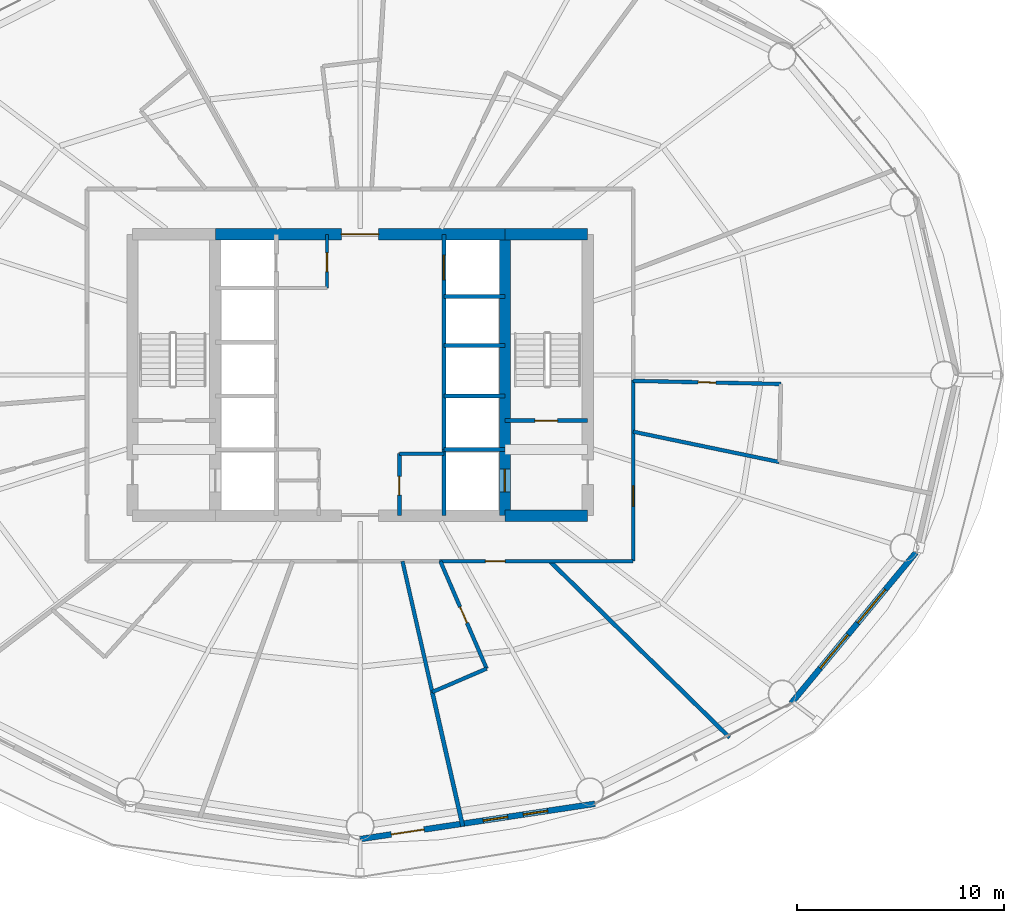
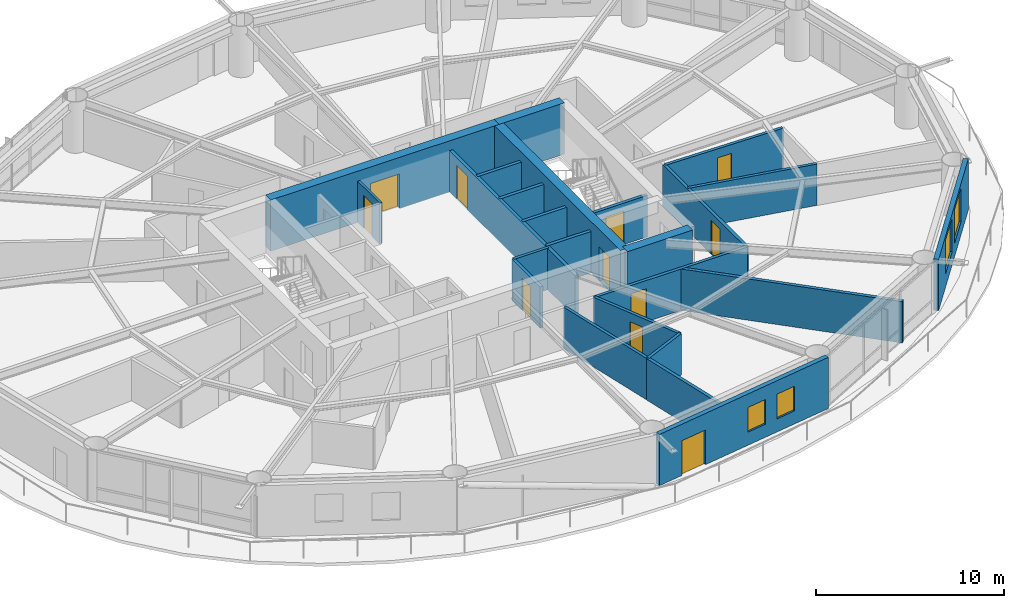
# One storey, part 19 of 24: 25 walls, 11 doors, 4 windows, 15 openings.
"""IFC4 building model written with IfcOpenShell, lengths in metres."""

from ifc_helpers import new_model, si_unit, direction, frame, frame_2d, origin, place, context, subcontext, project, spatial, rectangle, extrude, material, layer, layer_set, type_object, element, fill, save


model = new_model("IFC4")

# Units and contexts
model_context = context("Model", 3, precision=1e-05, world=origin(), true_north=direction((0.0, 1.0)))
body_context = subcontext(model_context, "Body", "Model", "MODEL_VIEW")
ifc_project = project(units=[si_unit("LENGTHUNIT", "METRE"), si_unit("AREAUNIT", "SQUARE_METRE"), si_unit("VOLUMEUNIT", "CUBIC_METRE"), si_unit("PLANEANGLEUNIT", "RADIAN"), si_unit("MASSUNIT", "GRAM", prefix="KILO")], contexts=[model_context])

# Site, building, storey
site_placement = place(None, origin())
site = spatial("IfcSite", under=ifc_project, at=site_placement, CompositionType="ELEMENT")
building_placement = place(site_placement, origin())
building = spatial("IfcBuilding", under=site, at=building_placement, Name="Sarneth Arch Tower", CompositionType="ELEMENT")
storey_placement = place(building_placement, frame((0.0, 0.0, 130.800048828125)))
storey = spatial("IfcBuildingStorey", under=building, at=storey_placement, Name="L33", CompositionType="ELEMENT", Elevation=130.800048828125)

# Wall
ifc_material_1 = material(Name="Concrete C60/75", Category="concrete")
ifc_layer_1 = layer(ifc_material_1, 0.550048828125)
ifc_layer_set_1 = layer_set([ifc_layer_1], Name="Concrete C60/75")
wall_type_1 = type_object("IfcWallType", Name="WALL-CORE-550", PredefinedType="SHEAR", material=ifc_layer_set_1)
wall_1_placement = place(storey_placement, frame((55.0, 35.199951171875, 0.0), z_axis=(0.0, 0.0, 1.0), x_axis=(1.0, 0.0, 0.0)))
element("IfcWall", 1, at=wall_1_placement, inside=storey, type_object=wall_type_1, Name="L33 Core shear wall S-E", PredefinedType="SHEAR", context=body_context, shape_type="SweptSolid", body=[
    extrude(rectangle(XDim=4.0, YDim=0.550048828125, at=frame_2d((2.0, 0.0))), origin(), (0.0, 0.0, 1.0), 3.320068359375),
])

# Wall, opening, door
wall_2_placement = place(storey_placement, frame((41.0, 48.800048828125, 0.0), z_axis=(0.0, 0.0, 1.0), x_axis=(1.0, 0.0, 0.0)))
wall_2 = element("IfcWall", 2, at=wall_2_placement, inside=storey, type_object=wall_type_1, Name="L33 Core shear wall N-M", PredefinedType="SHEAR", context=body_context, shape_type="SweptSolid", body=[
    extrude(rectangle(XDim=14.0, YDim=0.550048828125, at=frame_2d((7.0, 0.0))), origin(), (0.0, 0.0, 1.0), 3.320068359375),
])
opening_1_placement = place(wall_2_placement, frame((6.10009765625, 0.0, 0.0)))
opening_1 = element("IfcOpeningElement", 3, at=opening_1_placement, cuts=wall_2, Name="Opening FD-01", PredefinedType="OPENING", context=body_context, shape_type="SweptSolid", body=[
    extrude(rectangle(XDim=1.800048828125, YDim=2.25, at=frame_2d((0.89990234375, 1.125))), frame((0.0, 0.284912109375, 0.0), z_axis=(0.0, -1.0, 0.0), x_axis=(1.0, 0.0, 0.0)), (0.0, 0.0, 1.0), 0.570068359375),
])
ifc_material_2 = material(Name="Galvanised Steel S275 fire door set", Category="steel")
door_type_1 = type_object("IfcDoorType", Name="DR-FD90-1800", OperationType="DOUBLE_DOOR_SINGLE_SWING", PredefinedType="DOOR", material=ifc_material_2)
door_1_placement = place(opening_1_placement, origin())
door_1 = element("IfcDoor", 4, at=door_1_placement, inside=storey, type_object=door_type_1, Name="L33 Central lift lobby north door", OperationType="DOUBLE_DOOR_SINGLE_SWING", OverallHeight=2.25, OverallWidth=1.800048828125, PredefinedType="DOOR", context=body_context, shape_type="SweptSolid", body=[
    extrude(rectangle(XDim=1.800048828125, YDim=2.25, at=frame_2d((0.89990234375, 1.125))), frame((0.0, 0.02490234375, 0.0), z_axis=(0.0, -1.0, 0.0), x_axis=(1.0, 0.0, 0.0)), (0.0, 0.0, 1.0), 0.050048828125),
])
fill(opening_1, door_1)

# Wall
wall_3_placement = place(storey_placement, frame((55.0, 48.800048828125, 0.0), z_axis=(0.0, 0.0, 1.0), x_axis=(1.0, 0.0, 0.0)))
element("IfcWall", 5, at=wall_3_placement, inside=storey, type_object=wall_type_1, Name="L33 Core shear wall N-E", PredefinedType="SHEAR", context=body_context, shape_type="SweptSolid", body=[
    extrude(rectangle(XDim=4.0, YDim=0.550048828125, at=frame_2d((2.0, 0.0))), origin(), (0.0, 0.0, 1.0), 3.320068359375),
])

# Wall, opening, door
wall_4_placement = place(storey_placement, frame((55.0, 35.199951171875, 0.0), z_axis=(0.0, 0.0, 1.0), x_axis=(0.0, 1.0, 0.0)))
wall_4 = element("IfcWall", 6, at=wall_4_placement, inside=storey, type_object=wall_type_1, Name="L33 Core shear wall WEB-E", PredefinedType="SHEAR", context=body_context, shape_type="SweptSolid", body=[
    extrude(rectangle(XDim=13.60009765625, YDim=0.550048828125, at=frame_2d((6.800048828125, 0.0))), origin(), (0.0, 0.0, 1.0), 3.320068359375),
])
opening_2_placement = place(wall_4_placement, frame((1.14990234375, 0.0, 0.0)))
opening_2 = element("IfcOpeningElement", 7, at=opening_2_placement, cuts=wall_4, Name="Opening LD-1", PredefinedType="OPENING", context=body_context, shape_type="SweptSolid", body=[
    extrude(rectangle(XDim=1.10009765625, YDim=2.199951171875, at=frame_2d((0.550048828125, 1.10009765625))), frame((0.0, 0.284912109375, 0.0), z_axis=(0.0, -1.0, 0.0), x_axis=(1.0, 0.0, 0.0)), (0.0, 0.0, 1.0), 0.570068359375),
])
ifc_material_3 = material(Name="Brushed Stainless Steel 304 lift landing door", Category="steel")
door_type_2 = type_object("IfcDoorType", Name="DR-LIFT-SLIDE-1100", OperationType="SLIDING_TO_LEFT", PredefinedType="DOOR", material=ifc_material_3)
door_2_placement = place(opening_2_placement, origin())
door_2 = element("IfcDoor", 8, at=door_2_placement, inside=storey, type_object=door_type_2, Name="L33 Firefighting lift landing door FL-2", OperationType="SLIDING_TO_RIGHT", OverallHeight=2.199951171875, OverallWidth=1.10009765625, PredefinedType="DOOR", context=body_context, shape_type="SweptSolid", body=[
    extrude(rectangle(XDim=1.10009765625, YDim=2.199951171875, at=frame_2d((0.550048828125, 1.10009765625))), frame((0.0, 0.02490234375, 0.0), z_axis=(0.0, -1.0, 0.0), x_axis=(1.0, 0.0, 0.0)), (0.0, 0.0, 1.0), 0.050048828125),
])
fill(opening_2, door_2)

ifc_material_4 = material(Name="Double steel-stud corridor fire wall", Category="steel")
ifc_layer_2 = layer(ifc_material_4, 0.18994140625)
ifc_layer_set_2 = layer_set([ifc_layer_2], Name="Double steel-stud corridor fire wall")
wall_type_2 = type_object("IfcWallType", Name="WALL-CORR-190", PredefinedType="PARTITIONING", material=ifc_layer_set_2)
wall_5_placement = place(storey_placement, frame((61.199951171875, 41.749267578125, 0.0), z_axis=(0.0, 0.0, 1.0), x_axis=(0.0, -1.0, 0.0)))
wall_5 = element("IfcWall", 9, at=wall_5_placement, inside=storey, type_object=wall_type_2, Name="L33 Interior partition W-L33-TP-019", PredefinedType="PARTITIONING", context=body_context, shape_type="SweptSolid", body=[
    extrude(rectangle(XDim=8.749267578125, YDim=0.18994140625, at=frame_2d((4.37451171875, 0.0))), origin(), (0.0, 0.0, 1.0), 2.679931640625),
])
opening_3_placement = place(wall_5_placement, frame((5.102783203125, 0.0, 0.0)))
opening_3 = element("IfcOpeningElement", 10, at=opening_3_placement, cuts=wall_5, Name="Opening FD-08", PredefinedType="OPENING", context=body_context, shape_type="SweptSolid", body=[
    extrude(rectangle(XDim=1.0, YDim=2.199951171875, at=frame_2d((0.5, 1.10009765625))), frame((0.0, 0.10498046875, 0.0), z_axis=(0.0, -1.0, 0.0), x_axis=(1.0, 0.0, 0.0)), (0.0, 0.0, 1.0), 0.2099609375),
])
ifc_material_5 = material(Name="Hardwood timber acoustic fire door", Category="wood")
door_type_3 = type_object("IfcDoorType", Name="DR-FD60-1000", OperationType="SINGLE_SWING_LEFT", PredefinedType="DOOR", material=ifc_material_5)
door_3_placement = place(opening_3_placement, origin())
door_3 = element("IfcDoor", 11, at=door_3_placement, inside=storey, type_object=door_type_3, Name="L33 Interior door DR-L33-AMN-10", OperationType="SINGLE_SWING_LEFT", OverallHeight=2.199951171875, OverallWidth=1.0, PredefinedType="DOOR", context=body_context, shape_type="SweptSolid", body=[
    extrude(rectangle(XDim=1.0, YDim=2.199951171875, at=frame_2d((0.5, 1.10009765625))), frame((0.0, 0.02490234375, 0.0), z_axis=(0.0, -1.0, 0.0), x_axis=(1.0, 0.0, 0.0)), (0.0, 0.0, 1.0), 0.050048828125),
])
fill(opening_3, door_3)

wall_6_placement = place(storey_placement, frame((61.199951171875, 33.0, 0.0), z_axis=(0.0, 0.0, 1.0), x_axis=(-1.0, 0.0, 0.0)))
wall_6 = element("IfcWall", 12, at=wall_6_placement, inside=storey, type_object=wall_type_2, Name="L33 Interior partition W-L33-TP-017", PredefinedType="PARTITIONING", context=body_context, shape_type="SweptSolid", body=[
    extrude(rectangle(XDim=9.35546875, YDim=0.18994140625, at=frame_2d((4.677734375, 0.0))), origin(), (0.0, 0.0, 1.0), 2.679931640625),
])
opening_4_placement = place(wall_6_placement, frame((6.193359375, 0.0, 0.0)))
opening_4 = element("IfcOpeningElement", 13, at=opening_4_placement, cuts=wall_6, Name="Opening FD-09", PredefinedType="OPENING", context=body_context, shape_type="SweptSolid", body=[
    extrude(rectangle(XDim=0.949951171875, YDim=2.14990234375, at=frame_2d((0.47509765625, 1.074951171875))), frame((0.0, 0.10498046875, 0.0), z_axis=(0.0, -1.0, 0.0), x_axis=(1.0, 0.0, 0.0)), (0.0, 0.0, 1.0), 0.2099609375),
])
ifc_material_6 = material(Name="Hardwood timber hotel entrance fire door", Category="wood")
door_type_4 = type_object("IfcDoorType", Name="DR-FD60-950", OperationType="SINGLE_SWING_RIGHT", PredefinedType="DOOR", material=ifc_material_6)
door_4_placement = place(opening_4_placement, origin())
door_4 = element("IfcDoor", 14, at=door_4_placement, inside=storey, type_object=door_type_4, Name="L33 Interior door DR-L33-KEY-09", OperationType="SINGLE_SWING_LEFT", OverallHeight=2.14990234375, OverallWidth=0.949951171875, PredefinedType="DOOR", context=body_context, shape_type="SweptSolid", body=[
    extrude(rectangle(XDim=0.949951171875, YDim=2.14990234375, at=frame_2d((0.47509765625, 1.074951171875))), frame((0.0, 0.02490234375, 0.0), z_axis=(0.0, -1.0, 0.0), x_axis=(1.0, 0.0, 0.0)), (0.0, 0.0, 1.0), 0.050048828125),
])
fill(opening_4, door_4)

# Wall, openings, door, windows
ifc_material_7 = material(Name="Extruded terracotta rainscreen on Concrete C40/50 backing", Category="masonry")
ifc_layer_3 = layer(ifc_material_7, 0.280029296875)
ifc_layer_set_3 = layer_set([ifc_layer_3], Name="Extruded terracotta rainscreen on Concrete C40/50 backing")
wall_type_3 = type_object("IfcWallType", Name="WALL-EXT-TERRA-280", PredefinedType="SOLIDWALL", material=ifc_layer_set_3)
wall_7_placement = place(storey_placement, frame((48.0, 19.570068359375, 0.0), z_axis=(0.0, 0.0, 1.0), x_axis=(0.988877774656, 0.148730450117, 0.0)))
wall_7 = element("IfcWall", 15, at=wall_7_placement, inside=storey, type_object=wall_type_3, Name="L33 Terracotta perimeter wall 13", PredefinedType="SOLIDWALL", context=body_context, shape_type="SweptSolid", body=[
    extrude(rectangle(XDim=11.47900390625, YDim=0.280029296875, at=frame_2d((5.739501953125, 0.0))), origin(), (0.0, 0.0, 1.0), 3.320068359375),
])
opening_5_placement = place(wall_7_placement, frame((1.523681640625, 0.0, 0.0)))
opening_5 = element("IfcOpeningElement", 16, at=opening_5_placement, cuts=wall_7, Name="Opening BD-1", PredefinedType="OPENING", context=body_context, shape_type="SweptSolid", body=[
    extrude(rectangle(XDim=1.60009765625, YDim=2.25, at=frame_2d((0.800048828125, 1.125))), frame((0.0, 0.14990234375, 0.0), z_axis=(0.0, -1.0, 0.0), x_axis=(1.0, 0.0, 0.0)), (0.0, 0.0, 1.0), 0.300048828125),
])
opening_6_placement = place(wall_7_placement, frame((6.00830078125, 0.0, 0.85009765625)))
opening_6 = element("IfcOpeningElement", 17, at=opening_6_placement, cuts=wall_7, Name="Opening W-10", PredefinedType="OPENING", context=body_context, shape_type="SweptSolid", body=[
    extrude(rectangle(XDim=1.199951171875, YDim=1.60009765625, at=frame_2d((0.60009765625, 0.800048828125))), frame((0.0, 0.14990234375, 0.0), z_axis=(0.0, -1.0, 0.0), x_axis=(1.0, 0.0, 0.0)), (0.0, 0.0, 1.0), 0.300048828125),
])
opening_7_placement = place(wall_7_placement, frame((7.9677734375, 0.0, 0.85009765625)))
opening_7 = element("IfcOpeningElement", 18, at=opening_7_placement, cuts=wall_7, Name="Opening W-10", PredefinedType="OPENING", context=body_context, shape_type="SweptSolid", body=[
    extrude(rectangle(XDim=1.199951171875, YDim=1.60009765625, at=frame_2d((0.60009765625, 0.800048828125))), frame((0.0, 0.14990234375, 0.0), z_axis=(0.0, -1.0, 0.0), x_axis=(1.0, 0.0, 0.0)), (0.0, 0.0, 1.0), 0.300048828125),
])
ifc_material_8 = material(Name="Thermally broken Aluminium 6063-T6 and laminated safety glass", Category="aluminium")
door_type_5 = type_object("IfcDoorType", Name="DR-BALC-GLZ-1600", OperationType="DOUBLE_DOOR_SINGLE_SWING", PredefinedType="DOOR", material=ifc_material_8)
door_5_placement = place(opening_5_placement, origin())
door_5 = element("IfcDoor", 19, at=door_5_placement, inside=storey, type_object=door_type_5, Name="L33 Balcony glazed door 13", OperationType="DOUBLE_DOOR_SINGLE_SWING", OverallHeight=2.25, OverallWidth=1.60009765625, PredefinedType="DOOR", context=body_context, shape_type="SweptSolid", body=[
    extrude(rectangle(XDim=1.60009765625, YDim=2.25, at=frame_2d((0.800048828125, 1.125))), frame((0.0, 0.02490234375, 0.0), z_axis=(0.0, -1.0, 0.0), x_axis=(1.0, 0.0, 0.0)), (0.0, 0.0, 1.0), 0.050048828125),
])
fill(opening_5, door_5)
ifc_material_9 = material(Name="Thermally broken Aluminium 6063-T6 and low-e laminated IGU", Category="aluminium")
window_type_1 = type_object("IfcWindowType", Name="WIN-TWR-1200x1600", PartitioningType="SINGLE_PANEL", PredefinedType="WINDOW", material=ifc_material_9)
window_1_placement = place(opening_6_placement, origin())
window_1 = element("IfcWindow", 20, at=window_1_placement, inside=storey, type_object=window_type_1, Name="L33 Exterior window 13A", OverallHeight=1.60009765625, OverallWidth=1.199951171875, PartitioningType="SINGLE_PANEL", PredefinedType="WINDOW", context=body_context, shape_type="SweptSolid", body=[
    extrude(rectangle(XDim=1.199951171875, YDim=1.60009765625, at=frame_2d((0.60009765625, 0.800048828125))), frame((0.0, 0.030029296875, 0.0), z_axis=(0.0, -1.0, 0.0), x_axis=(1.0, 0.0, 0.0)), (0.0, 0.0, 1.0), 0.06005859375),
])
fill(opening_6, window_1)
window_2_placement = place(opening_7_placement, origin())
window_2 = element("IfcWindow", 21, at=window_2_placement, inside=storey, type_object=window_type_1, Name="L33 Exterior window 13B", OverallHeight=1.60009765625, OverallWidth=1.199951171875, PartitioningType="SINGLE_PANEL", PredefinedType="WINDOW", context=body_context, shape_type="SweptSolid", body=[
    extrude(rectangle(XDim=1.199951171875, YDim=1.60009765625, at=frame_2d((0.60009765625, 0.800048828125))), frame((0.0, 0.030029296875, 0.0), z_axis=(0.0, -1.0, 0.0), x_axis=(1.0, 0.0, 0.0)), (0.0, 0.0, 1.0), 0.06005859375),
])
fill(opening_7, window_2)

# Wall, openings, windows
wall_8_placement = place(storey_placement, frame((68.840087890625, 26.1396484375, 0.0), z_axis=(0.0, 0.0, 1.0), x_axis=(0.637505817448, 0.770445541696, 0.0)))
wall_8 = element("IfcWall", 22, at=wall_8_placement, inside=storey, type_object=wall_type_3, Name="L33 Terracotta perimeter wall 15", PredefinedType="SOLIDWALL", context=body_context, shape_type="SweptSolid", body=[
    extrude(rectangle(XDim=9.445068359375, YDim=0.280029296875, at=frame_2d((4.72265625, 0.0))), origin(), (0.0, 0.0, 1.0), 3.320068359375),
])
opening_8_placement = place(wall_8_placement, frame((2.196533203125, 0.0, 0.85009765625)))
opening_8 = element("IfcOpeningElement", 23, at=opening_8_placement, cuts=wall_8, Name="Opening W-03", PredefinedType="OPENING", context=body_context, shape_type="SweptSolid", body=[
    extrude(rectangle(XDim=2.10009765625, YDim=2.199951171875, at=frame_2d((1.050048828125, 1.10009765625))), frame((0.0, 0.14990234375, 0.0), z_axis=(0.0, -1.0, 0.0), x_axis=(1.0, 0.0, 0.0)), (0.0, 0.0, 1.0), 0.300048828125),
])
opening_9_placement = place(wall_8_placement, frame((5.031982421875, 0.0, 0.85009765625)))
opening_9 = element("IfcOpeningElement", 24, at=opening_9_placement, cuts=wall_8, Name="Opening W-03", PredefinedType="OPENING", context=body_context, shape_type="SweptSolid", body=[
    extrude(rectangle(XDim=2.10009765625, YDim=2.199951171875, at=frame_2d((1.050048828125, 1.10009765625))), frame((0.0, 0.14990234375, 0.0), z_axis=(0.0, -1.0, 0.0), x_axis=(1.0, 0.0, 0.0)), (0.0, 0.0, 1.0), 0.300048828125),
])
ifc_material_10 = material(Name="Thermally broken Aluminium 6063-T6 and low-e laminated IGU", Category="aluminium")
window_type_2 = type_object("IfcWindowType", Name="WIN-TWR-2100x2200", PartitioningType="DOUBLE_PANEL_VERTICAL", PredefinedType="WINDOW", material=ifc_material_10)
window_3_placement = place(opening_8_placement, origin())
window_3 = element("IfcWindow", 25, at=window_3_placement, inside=storey, type_object=window_type_2, Name="L33 Exterior window 15A", OverallHeight=2.199951171875, OverallWidth=2.10009765625, PartitioningType="SINGLE_PANEL", PredefinedType="WINDOW", context=body_context, shape_type="SweptSolid", body=[
    extrude(rectangle(XDim=2.10009765625, YDim=2.199951171875, at=frame_2d((1.050048828125, 1.10009765625))), frame((0.0, 0.030029296875, 0.0), z_axis=(0.0, -1.0, 0.0), x_axis=(1.0, 0.0, 0.0)), (0.0, 0.0, 1.0), 0.06005859375),
])
fill(opening_8, window_3)
window_4_placement = place(opening_9_placement, origin())
window_4 = element("IfcWindow", 26, at=window_4_placement, inside=storey, type_object=window_type_2, Name="L33 Exterior window 15B", OverallHeight=2.199951171875, OverallWidth=2.10009765625, PartitioningType="SINGLE_PANEL", PredefinedType="WINDOW", context=body_context, shape_type="SweptSolid", body=[
    extrude(rectangle(XDim=2.10009765625, YDim=2.199951171875, at=frame_2d((1.050048828125, 1.10009765625))), frame((0.0, 0.030029296875, 0.0), z_axis=(0.0, -1.0, 0.0), x_axis=(1.0, 0.0, 0.0)), (0.0, 0.0, 1.0), 0.06005859375),
])
fill(opening_9, window_4)

# Wall, opening, door
ifc_material_11 = material(Name="Acoustic gypsum stud partition", Category="gypsum")
ifc_layer_4 = layer(ifc_material_11, 0.14990234375)
ifc_layer_set_4 = layer_set([ifc_layer_4], Name="Acoustic gypsum stud partition")
wall_type_4 = type_object("IfcWallType", Name="WALL-PART-150", PredefinedType="PARTITIONING", material=ifc_layer_set_4)
wall_9_placement = place(storey_placement, frame((46.39990234375, 46.199951171875, 0.0), z_axis=(0.0, 0.0, 1.0), x_axis=(0.0, 1.0, 0.0)))
wall_9 = element("IfcWall", 27, at=wall_9_placement, inside=storey, type_object=wall_type_4, Name="L33 Interior partition W-L33-CSUP3-E", PredefinedType="PARTITIONING", context=body_context, shape_type="SweptSolid", body=[
    extrude(rectangle(XDim=2.60009765625, YDim=0.14990234375, at=frame_2d((1.300048828125, 0.0))), origin(), (0.0, 0.0, 1.0), 2.679931640625),
])
opening_10_placement = place(wall_9_placement, frame((0.800048828125, 0.0, 0.0)))
opening_10 = element("IfcOpeningElement", 28, at=opening_10_placement, cuts=wall_9, Name="Opening FD-10", PredefinedType="OPENING", context=body_context, shape_type="SweptSolid", body=[
    extrude(rectangle(XDim=0.89990234375, YDim=2.14990234375, at=frame_2d((0.449951171875, 1.074951171875))), frame((0.0, 0.0849609375, 0.0), z_axis=(0.0, -1.0, 0.0), x_axis=(1.0, 0.0, 0.0)), (0.0, 0.0, 1.0), 0.169921875),
])
ifc_material_12 = material(Name="Galvanised Steel S275 riser/service fire door", Category="steel")
door_type_6 = type_object("IfcDoorType", Name="DR-FD60-900", OperationType="SINGLE_SWING_LEFT", PredefinedType="DOOR", material=ifc_material_12)
door_6_placement = place(opening_10_placement, origin())
door_6 = element("IfcDoor", 29, at=door_6_placement, inside=storey, type_object=door_type_6, Name="L33 Interior door DR-L33-CSUP3", OperationType="SINGLE_SWING_LEFT", OverallHeight=2.14990234375, OverallWidth=0.89990234375, PredefinedType="DOOR", context=body_context, shape_type="SweptSolid", body=[
    extrude(rectangle(XDim=0.89990234375, YDim=2.14990234375, at=frame_2d((0.449951171875, 1.074951171875))), frame((0.0, 0.02490234375, 0.0), z_axis=(0.0, -1.0, 0.0), x_axis=(1.0, 0.0, 0.0)), (0.0, 0.0, 1.0), 0.050048828125),
])
fill(opening_10, door_6)

# Wall
ifc_material_13 = material(Name="Moisture-resistant plumbing chase wall", Category="gypsum")
ifc_layer_5 = layer(ifc_material_13, 0.179931640625)
ifc_layer_set_5 = layer_set([ifc_layer_5], Name="Moisture-resistant plumbing chase wall")
wall_type_5 = type_object("IfcWallType", Name="WALL-PLUMB-180", PredefinedType="PLUMBINGWALL", material=ifc_layer_set_5)
wall_10_placement = place(storey_placement, frame((49.89990234375, 38.199951171875, 0.0), z_axis=(0.0, 0.0, 1.0), x_axis=(1.0, 0.0, 0.0)))
element("IfcWall", 30, at=wall_10_placement, inside=storey, type_object=wall_type_5, Name="L33 Interior partition W-L33-AWC-N", PredefinedType="PLUMBINGWALL", context=body_context, shape_type="SweptSolid", body=[
    extrude(rectangle(XDim=2.150146484375, YDim=0.179931640625, at=frame_2d((1.0751953125, 0.0))), origin(), (0.0, 0.0, 1.0), 2.679931640625),
])

# Wall, opening, door
wall_11_placement = place(storey_placement, frame((49.89990234375, 35.199951171875, 0.0), z_axis=(0.0, 0.0, 1.0), x_axis=(0.0, 1.0, 0.0)))
wall_11 = element("IfcWall", 31, at=wall_11_placement, inside=storey, type_object=wall_type_5, Name="L33 Interior partition W-L33-AWC-W", PredefinedType="PLUMBINGWALL", context=body_context, shape_type="SweptSolid", body=[
    extrude(rectangle(XDim=3.0, YDim=0.179931640625, at=frame_2d((1.5, 0.0))), origin(), (0.0, 0.0, 1.0), 2.679931640625),
])
opening_11_placement = place(wall_11_placement, frame((1.0, 0.0, 0.0)))
opening_11 = element("IfcOpeningElement", 32, at=opening_11_placement, cuts=wall_11, Name="Opening ID-01", PredefinedType="OPENING", context=body_context, shape_type="SweptSolid", body=[
    extrude(rectangle(XDim=0.89990234375, YDim=2.10009765625, at=frame_2d((0.449951171875, 1.050048828125))), frame((0.0, 0.099853515625, 0.0), z_axis=(0.0, -1.0, 0.0), x_axis=(1.0, 0.0, 0.0)), (0.0, 0.0, 1.0), 0.199951171875),
])
ifc_material_14 = material(Name="Engineered hardwood flush door", Category="wood")
door_type_7 = type_object("IfcDoorType", Name="DR-INT-900", OperationType="SINGLE_SWING_LEFT", PredefinedType="DOOR", material=ifc_material_14)
door_7_placement = place(opening_11_placement, origin())
door_7 = element("IfcDoor", 33, at=door_7_placement, inside=storey, type_object=door_type_7, Name="L33 Interior door DR-L33-AWC", OperationType="SINGLE_SWING_RIGHT", OverallHeight=2.10009765625, OverallWidth=0.89990234375, PredefinedType="DOOR", context=body_context, shape_type="SweptSolid", body=[
    extrude(rectangle(XDim=0.89990234375, YDim=2.10009765625, at=frame_2d((0.449951171875, 1.050048828125))), frame((0.0, 0.02490234375, 0.0), z_axis=(0.0, -1.0, 0.0), x_axis=(1.0, 0.0, 0.0)), (0.0, 0.0, 1.0), 0.050048828125),
])
fill(opening_11, door_7)

# Wall
wall_12_placement = place(storey_placement, frame((68.252197265625, 37.7958984375, 0.0), z_axis=(0.0, 0.0, 1.0), x_axis=(-0.979121746523, 0.20327470449, 0.0)))
element("IfcWall", 34, at=wall_12_placement, inside=storey, type_object=wall_type_5, Name="L33 Interior partition W-L33-TP-052", PredefinedType="PLUMBINGWALL", context=body_context, shape_type="SweptSolid", body=[
    extrude(rectangle(XDim=7.20263671875, YDim=0.179931640625, at=frame_2d((3.601318359375, 0.0))), origin(), (0.0, 0.0, 1.0), 2.679931640625),
])

# Wall, opening, door
wall_13_placement = place(storey_placement, frame((61.199951171875, 41.71728515625, 0.0), z_axis=(0.0, 0.0, 1.0), x_axis=(0.999770544785, -0.021420965911, 0.0)))
wall_13 = element("IfcWall", 35, at=wall_13_placement, inside=storey, type_object=wall_type_5, Name="L33 Interior partition W-L33-TP-053", PredefinedType="PLUMBINGWALL", context=body_context, shape_type="SweptSolid", body=[
    extrude(rectangle(XDim=7.134765625, YDim=0.179931640625, at=frame_2d((3.5673828125, 0.0))), origin(), (0.0, 0.0, 1.0), 2.679931640625),
])
opening_12_placement = place(wall_13_placement, frame((3.142333984375, 0.0, 0.0)))
opening_12 = element("IfcOpeningElement", 36, at=opening_12_placement, cuts=wall_13, Name="Opening ID-02", PredefinedType="OPENING", context=body_context, shape_type="SweptSolid", body=[
    extrude(rectangle(XDim=0.85009765625, YDim=2.10009765625, at=frame_2d((0.425048828125, 1.050048828125))), frame((0.0, 0.099853515625, 0.0), z_axis=(0.0, -1.0, 0.0), x_axis=(1.0, 0.0, 0.0)), (0.0, 0.0, 1.0), 0.199951171875),
])
ifc_material_15 = material(Name="Moisture-resistant bathroom timber door", Category="wood")
door_type_8 = type_object("IfcDoorType", Name="DR-INT-850", OperationType="SINGLE_SWING_RIGHT", PredefinedType="DOOR", material=ifc_material_15)
door_8_placement = place(opening_12_placement, origin())
door_8 = element("IfcDoor", 37, at=door_8_placement, inside=storey, type_object=door_type_8, Name="L33 Interior door DR-L33-ENS-11", OperationType="SINGLE_SWING_LEFT", OverallHeight=2.10009765625, OverallWidth=0.85009765625, PredefinedType="DOOR", context=body_context, shape_type="SweptSolid", body=[
    extrude(rectangle(XDim=0.85009765625, YDim=2.10009765625, at=frame_2d((0.425048828125, 1.050048828125))), frame((0.0, 0.02490234375, 0.0), z_axis=(0.0, -1.0, 0.0), x_axis=(1.0, 0.0, 0.0)), (0.0, 0.0, 1.0), 0.050048828125),
])
fill(opening_12, door_8)

# Wall
wall_14_placement = place(storey_placement, frame((51.486572265625, 26.67626953125, 0.0), z_axis=(0.0, 0.0, 1.0), x_axis=(-0.221842382837, 0.975082538648, 0.0)))
element("IfcWall", 38, at=wall_14_placement, inside=storey, type_object=wall_type_5, Name="L33 Interior partition W-L33-TP-047", PredefinedType="PLUMBINGWALL", context=body_context, shape_type="SweptSolid", body=[
    extrude(rectangle(XDim=6.4853515625, YDim=0.179931640625, at=frame_2d((3.24267578125, 0.0))), origin(), (0.0, 0.0, 1.0), 2.679931640625),
])

# Wall, opening, door
wall_15_placement = place(storey_placement, frame((51.87939453125, 33.0, 0.0), z_axis=(0.0, 0.0, 1.0), x_axis=(0.395831860018, -0.918323003412, 0.0)))
wall_15 = element("IfcWall", 39, at=wall_15_placement, inside=storey, type_object=wall_type_5, Name="L33 Interior partition W-L33-TP-048", PredefinedType="PLUMBINGWALL", context=body_context, shape_type="SweptSolid", body=[
    extrude(rectangle(XDim=5.651611328125, YDim=0.179931640625, at=frame_2d((2.82568359375, 0.0))), origin(), (0.0, 0.0, 1.0), 2.679931640625),
])
opening_13_placement = place(wall_15_placement, frame((2.40087890625, 0.0, 0.0)))
opening_13 = element("IfcOpeningElement", 40, at=opening_13_placement, cuts=wall_15, Name="Opening ID-02", PredefinedType="OPENING", context=body_context, shape_type="SweptSolid", body=[
    extrude(rectangle(XDim=0.85009765625, YDim=2.10009765625, at=frame_2d((0.425048828125, 1.050048828125))), frame((0.0, 0.099853515625, 0.0), z_axis=(0.0, -1.0, 0.0), x_axis=(1.0, 0.0, 0.0)), (0.0, 0.0, 1.0), 0.199951171875),
])
door_9_placement = place(opening_13_placement, origin())
door_9 = element("IfcDoor", 41, at=door_9_placement, inside=storey, type_object=door_type_8, Name="L33 Interior door DR-L33-ENS-09", OperationType="SINGLE_SWING_RIGHT", OverallHeight=2.10009765625, OverallWidth=0.85009765625, PredefinedType="DOOR", context=body_context, shape_type="SweptSolid", body=[
    extrude(rectangle(XDim=0.85009765625, YDim=2.10009765625, at=frame_2d((0.425048828125, 1.050048828125))), frame((0.0, 0.02490234375, 0.0), z_axis=(0.0, -1.0, 0.0), x_axis=(1.0, 0.0, 0.0)), (0.0, 0.0, 1.0), 0.050048828125),
])
fill(opening_13, door_9)

# Wall
wall_16_placement = place(storey_placement, frame((54.116455078125, 27.81005859375, 0.0), z_axis=(0.0, 0.0, 1.0), x_axis=(-0.918296301957, -0.395893801178, 0.0)))
element("IfcWall", 42, at=wall_16_placement, inside=storey, type_object=wall_type_5, Name="L33 Interior partition W-L33-TP-049", PredefinedType="PLUMBINGWALL", context=body_context, shape_type="SweptSolid", body=[
    extrude(rectangle(XDim=2.86376953125, YDim=0.179931640625, at=frame_2d((1.431884765625, 0.0))), origin(), (0.0, 0.0, 1.0), 2.679931640625),
])

# Wall, opening, door
ifc_material_16 = material(Name="Aerated concrete blockwork C25/30", Category="masonry")
ifc_layer_6 = layer(ifc_material_16, 0.199951171875)
ifc_layer_set_6 = layer_set([ifc_layer_6], Name="Aerated concrete blockwork C25/30")
wall_type_6 = type_object("IfcWallType", Name="WALL-SHAFT-200", PredefinedType="SOLIDWALL", material=ifc_layer_set_6)
wall_17_placement = place(storey_placement, frame((55.0, 39.800048828125, 0.0), z_axis=(0.0, 0.0, 1.0), x_axis=(1.0, 0.0, 0.0)))
wall_17 = element("IfcWall", 43, at=wall_17_placement, inside=storey, type_object=wall_type_6, Name="L33 Interior partition W-L33-ST2-S", PredefinedType="SOLIDWALL", context=body_context, shape_type="SweptSolid", body=[
    extrude(rectangle(XDim=4.0, YDim=0.199951171875, at=frame_2d((2.0, 0.0))), origin(), (0.0, 0.0, 1.0), 2.679931640625),
])
opening_14_placement = place(wall_17_placement, frame((1.449951171875, 0.0, 0.0)))
opening_14 = element("IfcOpeningElement", 44, at=opening_14_placement, cuts=wall_17, Name="Opening FD-03", PredefinedType="OPENING", context=body_context, shape_type="SweptSolid", body=[
    extrude(rectangle(XDim=1.10009765625, YDim=2.14990234375, at=frame_2d((0.550048828125, 1.074951171875))), frame((0.0, 0.10986328125, 0.0), z_axis=(0.0, -1.0, 0.0), x_axis=(1.0, 0.0, 0.0)), (0.0, 0.0, 1.0), 0.219970703125),
])
ifc_material_17 = material(Name="Galvanised Steel S275 fire door set", Category="steel")
door_type_9 = type_object("IfcDoorType", Name="DR-FD90-1100", OperationType="SINGLE_SWING_LEFT", PredefinedType="DOOR", material=ifc_material_17)
door_10_placement = place(opening_14_placement, origin())
door_10 = element("IfcDoor", 45, at=door_10_placement, inside=storey, type_object=door_type_9, Name="L33 Interior door DR-L33-ST2", OperationType="SINGLE_SWING_RIGHT", OverallHeight=2.14990234375, OverallWidth=1.10009765625, PredefinedType="DOOR", context=body_context, shape_type="SweptSolid", body=[
    extrude(rectangle(XDim=1.10009765625, YDim=2.14990234375, at=frame_2d((0.550048828125, 1.074951171875))), frame((0.0, 0.02490234375, 0.0), z_axis=(0.0, -1.0, 0.0), x_axis=(1.0, 0.0, 0.0)), (0.0, 0.0, 1.0), 0.050048828125),
])
fill(opening_14, door_10)

# Walls
wall_18_placement = place(storey_placement, frame((52.050048828125, 35.199951171875, 0.0), z_axis=(0.0, 0.0, 1.0), x_axis=(0.0, 1.0, 0.0)))
element("IfcWall", 46, at=wall_18_placement, inside=storey, type_object=wall_type_6, Name="L33 Interior partition W-L33-FL2-W", PredefinedType="SOLIDWALL", context=body_context, shape_type="SweptSolid", body=[
    extrude(rectangle(XDim=3.199951171875, YDim=0.199951171875, at=frame_2d((1.60009765625, 0.0))), origin(), (0.0, 0.0, 1.0), 2.679931640625),
])
wall_19_placement = place(storey_placement, frame((52.050048828125, 38.39990234375, 0.0), z_axis=(0.0, 0.0, 1.0), x_axis=(1.0, 0.0, 0.0)))
element("IfcWall", 47, at=wall_19_placement, inside=storey, type_object=wall_type_6, Name="L33 Interior partition W-L33-FL2-N", PredefinedType="SOLIDWALL", context=body_context, shape_type="SweptSolid", body=[
    extrude(rectangle(XDim=2.949951171875, YDim=0.199951171875, at=frame_2d((1.47509765625, 0.0))), origin(), (0.0, 0.0, 1.0), 2.679931640625),
])

# Wall, opening, door
wall_20_placement = place(storey_placement, frame((52.050048828125, 38.39990234375, 0.0), z_axis=(0.0, 0.0, 1.0), x_axis=(0.0, 1.0, 0.0)))
wall_20 = element("IfcWall", 48, at=wall_20_placement, inside=storey, type_object=wall_type_6, Name="L33 Interior partition W-L33-EASTBANK-FRONT", PredefinedType="SOLIDWALL", context=body_context, shape_type="SweptSolid", body=[
    extrude(rectangle(XDim=10.400146484375, YDim=0.199951171875, at=frame_2d((5.2001953125, 0.0))), origin(), (0.0, 0.0, 1.0), 2.679931640625),
])
opening_15_placement = place(wall_20_placement, frame((8.199951171875, 0.0, 0.0)))
opening_15 = element("IfcOpeningElement", 49, at=opening_15_placement, cuts=wall_20, Name="Opening LD-2", PredefinedType="OPENING", context=body_context, shape_type="SweptSolid", body=[
    extrude(rectangle(XDim=1.199951171875, YDim=2.199951171875, at=frame_2d((0.60009765625, 1.10009765625))), frame((0.0, 0.10986328125, 0.0), z_axis=(0.0, -1.0, 0.0), x_axis=(1.0, 0.0, 0.0)), (0.0, 0.0, 1.0), 0.219970703125),
])
ifc_material_18 = material(Name="Brushed Stainless Steel 304 service lift door", Category="steel")
door_type_10 = type_object("IfcDoorType", Name="DR-LIFT-SLIDE-1200", OperationType="SLIDING_TO_RIGHT", PredefinedType="DOOR", material=ifc_material_18)
door_11_placement = place(opening_15_placement, origin())
door_11 = element("IfcDoor", 50, at=door_11_placement, inside=storey, type_object=door_type_10, Name="L33 Lift landing door DR-L33-LD-SL1", OperationType="SLIDING_TO_RIGHT", OverallHeight=2.199951171875, OverallWidth=1.199951171875, PredefinedType="DOOR", context=body_context, shape_type="SweptSolid", body=[
    extrude(rectangle(XDim=1.199951171875, YDim=2.199951171875, at=frame_2d((0.60009765625, 1.10009765625))), frame((0.0, 0.02490234375, 0.0), z_axis=(0.0, -1.0, 0.0), x_axis=(1.0, 0.0, 0.0)), (0.0, 0.0, 1.0), 0.050048828125),
])
fill(opening_15, door_11)

# Walls
for number, where, z_axis, x_axis, name in (
    (51, (52.050048828125, 40.97998046875, 0.0), (0.0, 0.0, 1.0), (1.0, 0.0, 0.0), "L33 Interior partition W-L33-EB-DIV-4098"),
    (52, (52.050048828125, 43.419921875, 0.0), (0.0, 0.0, 1.0), (1.0, 0.0, 0.0), "L33 Interior partition W-L33-EB-DIV-4342"),
    (53, (52.050048828125, 45.800048828125, 0.0), (0.0, 0.0, 1.0), (1.0, 0.0, 0.0), "L33 Interior partition W-L33-EB-DIV-4580"),
):
    element("IfcWall", number, at=place(storey_placement, frame(where, z_axis=z_axis, x_axis=x_axis)), inside=storey, type_object=wall_type_6, Name=name, PredefinedType="SOLIDWALL", context=body_context, shape_type="SweptSolid", body=[
        extrude(rectangle(XDim=2.949951171875, YDim=0.199951171875, at=frame_2d((1.47509765625, 0.0))), origin(), (0.0, 0.0, 1.0), 2.679931640625),
    ])
ifc_material_19 = material(Name="Double steel-stud acoustic drywall", Category="steel")
ifc_layer_7 = layer(ifc_material_19, 0.199951171875)
ifc_layer_set_7 = layer_set([ifc_layer_7], Name="Double steel-stud acoustic drywall")
wall_type_7 = type_object("IfcWallType", Name="WALL-UNIT-200", PredefinedType="PARTITIONING", material=ifc_layer_set_7)
wall_21_placement = place(storey_placement, frame((57.173095703125, 33.0, 0.0), z_axis=(0.0, 0.0, 1.0), x_axis=(0.713799293149, -0.700350318841, 0.0)))
element("IfcWall", 54, at=wall_21_placement, inside=storey, type_object=wall_type_7, Name="L33 Interior partition W-L33-TP-050", PredefinedType="PARTITIONING", context=body_context, shape_type="SweptSolid", body=[
    extrude(rectangle(XDim=12.16259765625, YDim=0.199951171875, at=frame_2d((6.081298828125, 0.0))), origin(), (0.0, 0.0, 1.0), 2.679931640625),
])
wall_22_placement = place(storey_placement, frame((52.961181640625, 20.1953125, 0.0), z_axis=(0.0, 0.0, 1.0), x_axis=(-0.221859239387, 0.975078703438, 0.0)))
element("IfcWall", 55, at=wall_22_placement, inside=storey, type_object=wall_type_7, Name="L33 Interior partition W-L33-TP-046", PredefinedType="PARTITIONING", context=body_context, shape_type="SweptSolid", body=[
    extrude(rectangle(XDim=6.646484375, YDim=0.199951171875, at=frame_2d((3.3232421875, 0.0))), origin(), (0.0, 0.0, 1.0), 2.679931640625),
])

save(model, "model.ifc")
